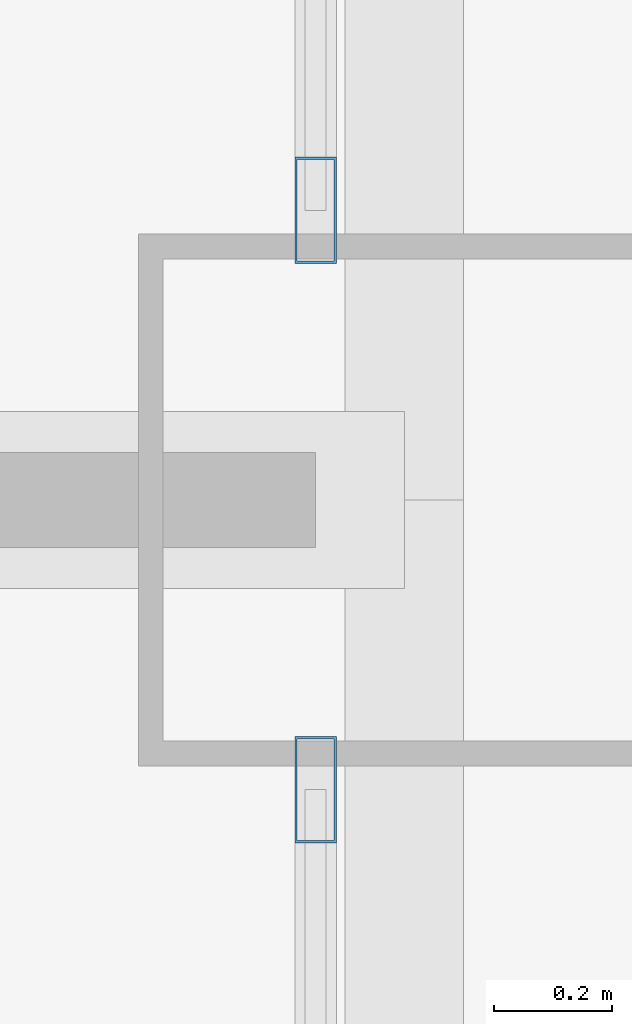
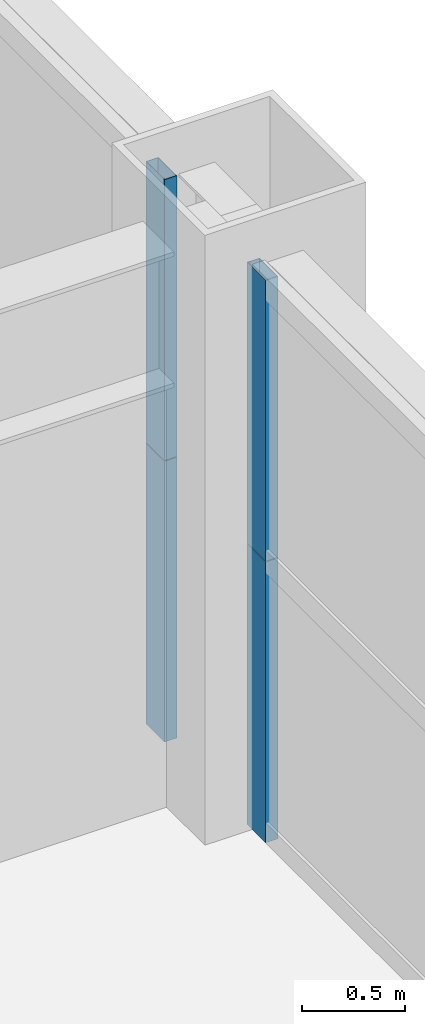
# One storey, part 21 of 43: 4 members, 2 elements without a shape of their own.
"""IFC4 building model written with IfcOpenShell, lengths in metres."""

from ifc_helpers import new_model, si_unit, direction, frame, origin, origin_2d, place, context, subcontext, project, spatial, hollow_rectangle, extrude, source, transform, mapped, material, layer, layer_set, material_profile, profile_set, type_object, element, aggregate, save


model = new_model("IFC4")

# Units and contexts
model_context = context("Model", 3, precision=1e-05, world=origin(), true_north=direction((0.0, 1.0)))
body_context = subcontext(model_context, "Body", "Model", "MODEL_VIEW")
ifc_project = project(units=[si_unit("LENGTHUNIT", "METRE"), si_unit("AREAUNIT", "SQUARE_METRE"), si_unit("VOLUMEUNIT", "CUBIC_METRE"), si_unit("PLANEANGLEUNIT", "RADIAN"), si_unit("MASSUNIT", "GRAM", prefix="KILO"), si_unit("THERMODYNAMICTEMPERATUREUNIT", "KELVIN"), si_unit("POWERUNIT", "WATT")], contexts=[model_context])

# Site, building, storey
site_placement = place(None, origin())
site = spatial("IfcSite", under=ifc_project, at=site_placement, CompositionType="ELEMENT")
building_placement = place(site_placement, origin())
building = spatial("IfcBuilding", under=site, at=building_placement, Name="Yuzanri Waterfront Tower", CompositionType="ELEMENT")
storey_placement = place(building_placement, frame((0.0, 0.0, 37.800048828125)))
storey = spatial("IfcBuildingStorey", under=building, at=storey_placement, Name="L09", CompositionType="ELEMENT", Elevation=37.800048828125)

# Curtain wall, member
ifc_material_1 = material(Name="Anodized Architectural Bronze", Category="metal")
ifc_layer = layer(ifc_material_1, 0.159912109375)
ifc_layer_set = layer_set([ifc_layer], Name="Anodized Architectural Bronze")
curtain_wall_type = type_object("IfcCurtainWallType", Name="Anodized Bronze Hotel Lower-Tier Recessed Unitized Curtain Wall 8100", PredefinedType="NOTDEFINED", material=ifc_layer_set)
curtain_wall_1_placement = place(storey_placement, origin())
curtain_wall_1 = element("IfcCurtainWall", 1, at=curtain_wall_1_placement, inside=storey, type_object=curtain_wall_type, Name="L09 Curtain Wall CW-L09-EL", PredefinedType="NOTDEFINED")
ifc_material_2 = material(Name="Anodized Architectural Bronze", Category="metal")
ifc_material_profile = material_profile(ifc_material_2, hollow_rectangle(XDim=0.070068359375, YDim=0.179931640625, WallThickness=0.00390625, at=origin_2d()), Name="CWM 70x180")
ifc_profile_set = profile_set([ifc_material_profile], Name="Anodized Architectural Bronze")
member_type = type_object("IfcMemberType", Name="Anodized Bronze Standard Curtain-Wall Mullion 70x180", PredefinedType="MULLION", material=ifc_profile_set)
shared_shape_1 = source(origin(), body_context, "Body", "SweptSolid", [
    extrude(hollow_rectangle(XDim=0.070068359375, YDim=0.179931640625, WallThickness=0.00390625, at=origin_2d()), origin(), (0.0, 0.0, 1.0), 1.657958984375),
])
member_1_placement = place(storey_placement, frame((61.949951171875, 25.31005859375, 0.0), z_axis=(0.0, 0.0, 1.0), x_axis=(1.0, 0.0, 0.0)))
member_1 = element("IfcMember", 2, at=member_1_placement, type_object=member_type, Name="CW-L09-EL Lower Mullion 02", PredefinedType="MULLION", context=body_context, shape_type="MappedRepresentation", body=[
    mapped(shared_shape_1, transform((0.0, 0.0, 0.0), scale=1.0)),
])

curtain_wall_2_placement = place(storey_placement, origin())
curtain_wall_2 = element("IfcCurtainWall", 3, at=curtain_wall_2_placement, inside=storey, type_object=curtain_wall_type, Name="L09 Curtain Wall CW-L09-ER", PredefinedType="NOTDEFINED")
member_2_placement = place(storey_placement, frame((61.949951171875, 26.2900390625, 0.0), z_axis=(0.0, 0.0, 1.0), x_axis=(1.0, 0.0, 0.0)))
member_2 = element("IfcMember", 4, at=member_2_placement, type_object=member_type, Name="CW-L09-ER Lower Mullion 00", PredefinedType="MULLION", context=body_context, shape_type="MappedRepresentation", body=[
    mapped(shared_shape_1, transform((0.0, 0.0, 0.0), scale=1.0)),
])

# Member
shared_shape_2 = source(origin(), body_context, "Body", "SweptSolid", [
    extrude(hollow_rectangle(XDim=0.070068359375, YDim=0.179931640625, WallThickness=0.00390625, at=origin_2d()), origin(), (0.0, 0.0, 1.0), 1.658203125),
])
member_3_placement = place(storey_placement, frame((61.949951171875, 25.31005859375, 1.661865234375), z_axis=(0.0, 0.0, 1.0), x_axis=(1.0, 0.0, 0.0)))
member_3 = element("IfcMember", 5, at=member_3_placement, type_object=member_type, Name="CW-L09-EL Upper Mullion 02", PredefinedType="MULLION", context=body_context, shape_type="MappedRepresentation", body=[
    mapped(shared_shape_2, transform((0.0, 0.0, 0.0), scale=1.0)),
])

aggregate(curtain_wall_1, [member_1, member_3])

member_4_placement = place(storey_placement, frame((61.949951171875, 26.2900390625, 1.661865234375), z_axis=(0.0, 0.0, 1.0), x_axis=(1.0, 0.0, 0.0)))
member_4 = element("IfcMember", 6, at=member_4_placement, type_object=member_type, Name="CW-L09-ER Upper Mullion 00", PredefinedType="MULLION", context=body_context, shape_type="MappedRepresentation", body=[
    mapped(shared_shape_2, transform((0.0, 0.0, 0.0), scale=1.0)),
])

aggregate(curtain_wall_2, [member_2, member_4])

save(model, "model.ifc")
